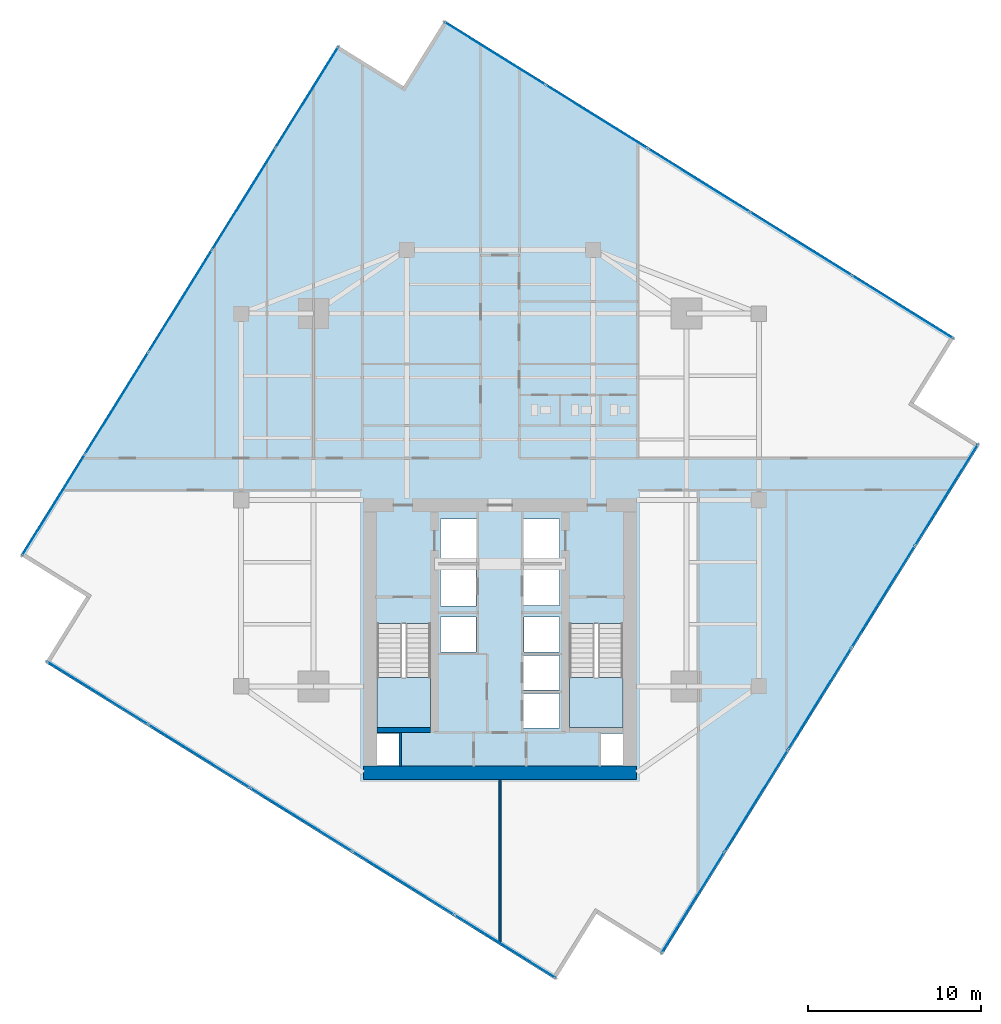
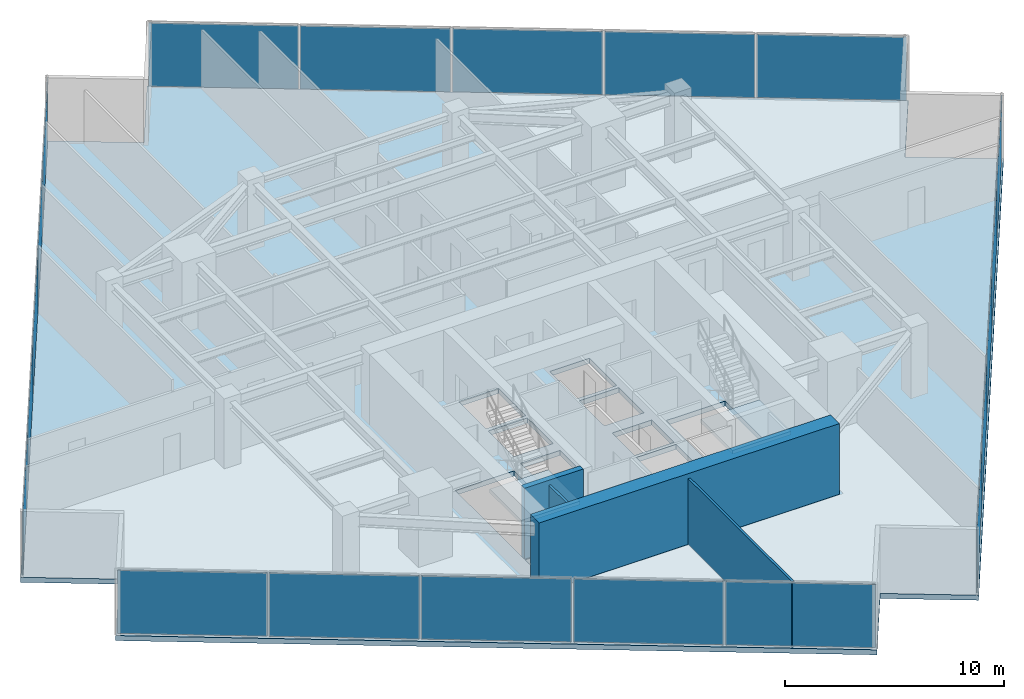
# One storey, part 20 of 26: 20 plates, 4 walls, 3 slabs, 6 elements without a shape of their own.
"""IFC4 building model written with IfcOpenShell, lengths in metres."""

from ifc_helpers import new_model, si_unit, direction, frame, frame_2d, origin, origin_2d, place, context, subcontext, project, spatial, polyline, rectangle, outline, extrude, source, transform, mapped, material, layer, layer_set, type_object, type_shapes, element, aggregate, save


model = new_model("IFC4")

# Units and contexts
model_context = context("Model", 3, precision=1e-05, world=origin(), true_north=direction((0.0, 1.0)))
body_context = subcontext(model_context, "Body", "Model", "MODEL_VIEW")
ifc_project = project(units=[si_unit("LENGTHUNIT", "METRE"), si_unit("AREAUNIT", "SQUARE_METRE"), si_unit("VOLUMEUNIT", "CUBIC_METRE"), si_unit("PLANEANGLEUNIT", "RADIAN"), si_unit("MASSUNIT", "GRAM", prefix="KILO")], contexts=[model_context])

# Site, building, storey
site_placement = place(None, origin())
site = spatial("IfcSite", under=ifc_project, at=site_placement, CompositionType="ELEMENT")
building_placement = place(site_placement, origin())
building = spatial("IfcBuilding", under=site, at=building_placement, Name="Krantzveldt Concourse Tower", CompositionType="ELEMENT")
storey_placement = place(building_placement, frame((0.0, 0.0, 173.85009765625)))
storey = spatial("IfcBuildingStorey", under=building, at=storey_placement, Name="L42", CompositionType="ELEMENT", Elevation=173.85009765625)

# Stair, slab
ifc_material_1 = material(Name="Precast concrete C40/50", Category="concrete")
stair_type = type_object("IfcStairType", Name="STR-CORE-DOGLEG", PredefinedType="HALF_TURN_STAIR", material=ifc_material_1)
stair_1_placement = place(storey_placement, origin())
stair_1 = element("IfcStair", 1, at=stair_1_placement, inside=storey, type_object=stair_type, Name="L42 Protected Escape Stair ST-1", PredefinedType="HALF_TURN_STAIR")
ifc_layer_1 = layer(ifc_material_1, 0.199951171875, Name="Precast concrete C40/50", Category="concrete")
ifc_layer_set_1 = layer_set([ifc_layer_1], Name="Precast concrete C40/50 (SL-LANDING-200)")
slab_type_1 = type_object("IfcSlabType", Name="SL-LANDING-200", PredefinedType="LANDING", material=ifc_layer_set_1)
slab_1_placement = place(storey_placement, frame((0.0, 0.0, 1.77490234375)))
slab_1 = element("IfcSlab", 2, at=slab_1_placement, type_object=slab_type_1, Name="ST-1 landing 1", PredefinedType="LANDING", context=body_context, shape_type="SweptSolid", body=[
    extrude(outline(polyline([(28.8798828125, 16.4150390625), (28.8798828125, 13.52001953125), (31.97998046875, 13.52001953125), (31.97998046875, 16.4150390625), (28.8798828125, 16.4150390625)])), origin(), (0.0, 0.0, 1.0), 0.199951171875),
])
aggregate(stair_1, [slab_1])

stair_2_placement = place(storey_placement, origin())
stair_2 = element("IfcStair", 3, at=stair_2_placement, inside=storey, type_object=stair_type, Name="L42 Protected Escape Stair ST-2", PredefinedType="HALF_TURN_STAIR")
slab_2_placement = place(storey_placement, frame((0.0, 0.0, 1.77490234375)))
slab_2 = element("IfcSlab", 4, at=slab_2_placement, type_object=slab_type_1, Name="ST-2 landing 1", PredefinedType="LANDING", context=body_context, shape_type="SweptSolid", body=[
    extrude(outline(polyline([(40.02001953125, 16.4150390625), (40.02001953125, 13.52001953125), (43.1201171875, 13.52001953125), (43.1201171875, 16.4150390625), (40.02001953125, 16.4150390625)])), origin(), (0.0, 0.0, 1.0), 0.199951171875),
])
aggregate(stair_2, [slab_2])

# Slab
ifc_material_2 = material(Name="Concrete C40/50", Category="concrete")
ifc_layer_2 = layer(ifc_material_2, 0.280029296875, Name="Concrete C40/50", Category="concrete")
ifc_layer_set_2 = layer_set([ifc_layer_2], Name="Concrete C40/50 (SL-SL-TWR280)")
slab_type_2 = type_object("IfcSlabType", Name="SL-SL-TWR280", PredefinedType="FLOOR", material=ifc_layer_set_2)
slab_3_placement = place(storey_placement, frame((0.0, 0.0, -0.280029296875)))
element("IfcSlab", 5, at=slab_3_placement, inside=storey, type_object=slab_type_2, Name="SL-L42-MAIN", PredefinedType="FLOOR", context=body_context, shape_type="SweptSolid", body=[
    extrude(outline(polyline([(30.412353515625, 50.66455078125), (26.5908203125, 53.040771484375), (8.214111328125, 23.488525390625), (12.035400390625, 21.1123046875), (9.6591796875, 17.290771484375), (39.21142578125, -1.0859375), (41.587646484375, 2.735595703125), (45.4091796875, 0.359130859375), (63.785888671875, 29.911376953125), (59.964599609375, 32.287841796875), (62.3408203125, 36.109130859375), (32.78857421875, 54.48583984375), (30.412353515625, 50.66455078125)]), holes=[polyline([(28.8798828125, 19.547607421875), (28.8798828125, 13.52001953125), (31.97998046875, 13.52001953125), (31.97998046875, 19.547607421875), (28.8798828125, 19.547607421875)]), polyline([(40.02001953125, 19.547607421875), (40.02001953125, 13.52001953125), (43.1201171875, 13.52001953125), (43.1201171875, 19.547607421875), (40.02001953125, 19.547607421875)]), polyline([(32.550048828125, 23.10009765625), (34.64990234375, 23.10009765625), (34.64990234375, 25.60009765625), (32.550048828125, 25.60009765625), (32.550048828125, 23.10009765625)]), polyline([(37.35009765625, 23.10009765625), (39.449951171875, 23.10009765625), (39.449951171875, 25.60009765625), (37.35009765625, 25.60009765625), (37.35009765625, 23.10009765625)]), polyline([(37.35009765625, 20.60009765625), (39.449951171875, 20.60009765625), (39.449951171875, 22.89990234375), (37.35009765625, 22.89990234375), (37.35009765625, 20.60009765625)]), polyline([(37.35009765625, 13.47998046875), (39.449951171875, 13.47998046875), (39.449951171875, 15.47998046875), (37.35009765625, 15.47998046875), (37.35009765625, 13.47998046875)]), polyline([(37.35009765625, 15.679931640625), (39.449951171875, 15.679931640625), (39.449951171875, 17.679931640625), (37.35009765625, 17.679931640625), (37.35009765625, 15.679931640625)]), polyline([(32.550048828125, 20.550048828125), (34.6201171875, 20.550048828125), (34.6201171875, 22.89990234375), (32.550048828125, 22.89990234375), (32.550048828125, 20.550048828125)]), polyline([(32.550048828125, 17.8798828125), (34.6201171875, 17.8798828125), (34.6201171875, 19.919921875), (32.550048828125, 19.919921875), (32.550048828125, 17.8798828125)]), polyline([(37.3798828125, 17.8798828125), (39.449951171875, 17.8798828125), (39.449951171875, 19.919921875), (37.3798828125, 19.919921875), (37.3798828125, 17.8798828125)]), polyline([(28.8798828125, 11.320068359375), (30.139892578125, 11.320068359375), (30.139892578125, 13.159912109375), (28.8798828125, 13.159912109375), (28.8798828125, 11.320068359375)]), polyline([(41.860107421875, 11.320068359375), (43.1201171875, 11.320068359375), (43.1201171875, 13.159912109375), (41.860107421875, 13.159912109375), (41.860107421875, 11.320068359375)])]), origin(), (0.0, 0.0, 1.0), 0.280029296875),
])

# Curtain wall, plates
ifc_material_3 = material(Name="Anodised aluminium 6063-T6", Category="aluminium")
curtain_wall_type = type_object("IfcCurtainWallType", Name="CW3", PredefinedType="USERDEFINED", material=ifc_material_3)
curtain_wall_1_placement = place(storey_placement, origin())
curtain_wall_1 = element("IfcCurtainWall", 6, at=curtain_wall_1_placement, inside=storey, type_object=curtain_wall_type, Name="CW-L42-F01", ObjectType="UNITISED CURTAIN WALL", PredefinedType="USERDEFINED")
ifc_material_4 = material(Name="Bronze-tinted laminated low-E IGU glass", Category="glass")
ifc_layer_3 = layer(ifc_material_4, 0.031982421875, Name="Bronze-tinted laminated low-E IGU glass", Category="glass")
ifc_layer_set_3 = layer_set([ifc_layer_3], Name="Bronze-tinted laminated low-E IGU glass (CW-GLZ-32)")
plate_type = type_object("IfcPlateType", Name="CW-GLZ-32", PredefinedType="CURTAIN_PANEL", material=ifc_layer_set_3)
shared_shape_1 = source(origin(), body_context, "Body", "SweptSolid", [
    extrude(rectangle(XDim=6.85498046875, YDim=0.031982421875, at=origin_2d()), origin(), (0.0, 0.0, 1.0), 3.530029296875),
])
plate_1_placement = place(storey_placement, frame((24.8203125, 50.023193359375, 0.06982421875), z_axis=(0.0, 0.0, 1.0), x_axis=(-0.528067901977, -0.84920214961, 0.0)))
plate_1 = element("IfcPlate", 7, at=plate_1_placement, type_object=plate_type, Name="CW-Z34 panel 1.1", PredefinedType="CURTAIN_PANEL", context=body_context, shape_type="MappedRepresentation", body=[
    mapped(shared_shape_1, transform((0.0, 0.0, 0.0), x_axis=(1.0, 0.0, 0.0), y_axis=(0.0, 1.0, 0.0), z_axis=(0.0, 0.0, 1.0), scale=1.0)),
])
plate_2_placement = place(storey_placement, frame((10.137451171875, 26.4111328125, 0.06982421875), z_axis=(0.0, 0.0, 1.0), x_axis=(-0.528067901977, -0.84920214961, 0.0)))
plate_2 = element("IfcPlate", 8, at=plate_2_placement, type_object=plate_type, Name="CW-Z34 panel 5.1", PredefinedType="CURTAIN_PANEL", context=body_context, shape_type="MappedRepresentation", body=[
    mapped(shared_shape_1, transform((0.0, 0.0, 0.0), x_axis=(1.0, 0.0, 0.0), y_axis=(0.0, 1.0, 0.0), z_axis=(0.0, 0.0, 1.0), scale=1.0)),
])

curtain_wall_2_placement = place(storey_placement, origin())
curtain_wall_2 = element("IfcCurtainWall", 9, at=curtain_wall_2_placement, inside=storey, type_object=curtain_wall_type, Name="CW-L42-F04", ObjectType="UNITISED CURTAIN WALL", PredefinedType="USERDEFINED")
plate_3_placement = place(storey_placement, frame((12.6767578125, 15.520263671875, 0.06982421875), z_axis=(0.0, 0.0, 1.0), x_axis=(0.84920214961, -0.528067901977, 0.0)))
plate_3 = element("IfcPlate", 10, at=plate_3_placement, type_object=plate_type, Name="CW-Z34 panel 1.1", PredefinedType="CURTAIN_PANEL", context=body_context, shape_type="MappedRepresentation", body=[
    mapped(shared_shape_1, transform((0.0, 0.0, 0.0), x_axis=(1.0, 0.0, 0.0), y_axis=(0.0, 1.0, 0.0), z_axis=(0.0, 0.0, 1.0), scale=1.0)),
])
plate_4_placement = place(storey_placement, frame((36.288818359375, 0.83740234375, 0.06982421875), z_axis=(0.0, 0.0, 1.0), x_axis=(0.84920214961, -0.528067901977, 0.0)))
plate_4 = element("IfcPlate", 11, at=plate_4_placement, type_object=plate_type, Name="CW-Z34 panel 5.1", PredefinedType="CURTAIN_PANEL", context=body_context, shape_type="MappedRepresentation", body=[
    mapped(shared_shape_1, transform((0.0, 0.0, 0.0), x_axis=(1.0, 0.0, 0.0), y_axis=(0.0, 1.0, 0.0), z_axis=(0.0, 0.0, 1.0), scale=1.0)),
])

curtain_wall_3_placement = place(storey_placement, origin())
curtain_wall_3 = element("IfcCurtainWall", 12, at=curtain_wall_3_placement, inside=storey, type_object=curtain_wall_type, Name="CW-L42-F07", ObjectType="UNITISED CURTAIN WALL", PredefinedType="USERDEFINED")
plate_5_placement = place(storey_placement, frame((47.1796875, 3.376708984375, 0.06982421875), z_axis=(0.0, 0.0, 1.0), x_axis=(0.528067901977, 0.84920214961, 0.0)))
plate_5 = element("IfcPlate", 13, at=plate_5_placement, type_object=plate_type, Name="CW-Z34 panel 1.1", PredefinedType="CURTAIN_PANEL", context=body_context, shape_type="MappedRepresentation", body=[
    mapped(shared_shape_1, transform((0.0, 0.0, 0.0), x_axis=(1.0, 0.0, 0.0), y_axis=(0.0, 1.0, 0.0), z_axis=(0.0, 0.0, 1.0), scale=1.0)),
])
plate_6_placement = place(storey_placement, frame((61.862548828125, 26.98876953125, 0.06982421875), z_axis=(0.0, 0.0, 1.0), x_axis=(0.528067901977, 0.84920214961, 0.0)))
plate_6 = element("IfcPlate", 14, at=plate_6_placement, type_object=plate_type, Name="CW-Z34 panel 5.1", PredefinedType="CURTAIN_PANEL", context=body_context, shape_type="MappedRepresentation", body=[
    mapped(shared_shape_1, transform((0.0, 0.0, 0.0), x_axis=(1.0, 0.0, 0.0), y_axis=(0.0, 1.0, 0.0), z_axis=(0.0, 0.0, 1.0), scale=1.0)),
])

curtain_wall_4_placement = place(storey_placement, origin())
curtain_wall_4 = element("IfcCurtainWall", 15, at=curtain_wall_4_placement, inside=storey, type_object=curtain_wall_type, Name="CW-L42-F10", ObjectType="UNITISED CURTAIN WALL", PredefinedType="USERDEFINED")
plate_7_placement = place(storey_placement, frame((59.3232421875, 37.879638671875, 0.06982421875), z_axis=(0.0, 0.0, 1.0), x_axis=(-0.84920214961, 0.528067901977, 0.0)))
plate_7 = element("IfcPlate", 16, at=plate_7_placement, type_object=plate_type, Name="CW-Z34 panel 1.1", PredefinedType="CURTAIN_PANEL", context=body_context, shape_type="MappedRepresentation", body=[
    mapped(shared_shape_1, transform((0.0, 0.0, 0.0), x_axis=(1.0, 0.0, 0.0), y_axis=(0.0, 1.0, 0.0), z_axis=(0.0, 0.0, 1.0), scale=1.0)),
])
plate_8_placement = place(storey_placement, frame((35.711181640625, 52.5625, 0.06982421875), z_axis=(0.0, 0.0, 1.0), x_axis=(-0.84920214961, 0.528067901977, 0.0)))
plate_8 = element("IfcPlate", 17, at=plate_8_placement, type_object=plate_type, Name="CW-Z34 panel 5.1", PredefinedType="CURTAIN_PANEL", context=body_context, shape_type="MappedRepresentation", body=[
    mapped(shared_shape_1, transform((0.0, 0.0, 0.0), x_axis=(1.0, 0.0, 0.0), y_axis=(0.0, 1.0, 0.0), z_axis=(0.0, 0.0, 1.0), scale=1.0)),
])

# Plate
shared_shape_2 = source(origin(), body_context, "Body", "SweptSolid", [
    extrude(rectangle(XDim=6.889892578125, YDim=0.031982421875, at=origin_2d()), origin(), (0.0, 0.0, 1.0), 3.530029296875),
])
type_shapes(plate_type, [shared_shape_1, shared_shape_2])
plate_9_placement = place(storey_placement, frame((21.154296875, 44.127685546875, 0.06982421875), z_axis=(0.0, 0.0, 1.0), x_axis=(-0.528067901977, -0.84920214961, 0.0)))
plate_9 = element("IfcPlate", 18, at=plate_9_placement, type_object=plate_type, Name="CW-Z34 panel 2.1", PredefinedType="CURTAIN_PANEL", context=body_context, shape_type="MappedRepresentation", body=[
    mapped(shared_shape_2, transform((0.0, 0.0, 0.0), x_axis=(1.0, 0.0, 0.0), y_axis=(0.0, 1.0, 0.0), z_axis=(0.0, 0.0, 1.0), scale=1.0)),
])

plate_10_placement = place(storey_placement, frame((17.47900390625, 38.217041015625, 0.06982421875), z_axis=(0.0, 0.0, 1.0), x_axis=(-0.528067901977, -0.84920214961, 0.0)))
plate_10 = element("IfcPlate", 19, at=plate_10_placement, type_object=plate_type, Name="CW-Z34 panel 3.1", PredefinedType="CURTAIN_PANEL", context=body_context, shape_type="MappedRepresentation", body=[
    mapped(shared_shape_2, transform((0.0, 0.0, 0.0), x_axis=(1.0, 0.0, 0.0), y_axis=(0.0, 1.0, 0.0), z_axis=(0.0, 0.0, 1.0), scale=1.0)),
])

plate_11_placement = place(storey_placement, frame((13.803466796875, 32.306640625, 0.06982421875), z_axis=(0.0, 0.0, 1.0), x_axis=(-0.528067901977, -0.84920214961, 0.0)))
plate_11 = element("IfcPlate", 20, at=plate_11_placement, type_object=plate_type, Name="CW-Z34 panel 4.1", PredefinedType="CURTAIN_PANEL", context=body_context, shape_type="MappedRepresentation", body=[
    mapped(shared_shape_2, transform((0.0, 0.0, 0.0), x_axis=(1.0, 0.0, 0.0), y_axis=(0.0, 1.0, 0.0), z_axis=(0.0, 0.0, 1.0), scale=1.0)),
])

aggregate(curtain_wall_1, [plate_1, plate_9, plate_10, plate_11, plate_2])

plate_12_placement = place(storey_placement, frame((18.572509765625, 11.854248046875, 0.06982421875), z_axis=(0.0, 0.0, 1.0), x_axis=(0.84920214961, -0.528067901977, 0.0)))
plate_12 = element("IfcPlate", 21, at=plate_12_placement, type_object=plate_type, Name="CW-Z34 panel 2.1", PredefinedType="CURTAIN_PANEL", context=body_context, shape_type="MappedRepresentation", body=[
    mapped(shared_shape_2, transform((0.0, 0.0, 0.0), x_axis=(1.0, 0.0, 0.0), y_axis=(0.0, 1.0, 0.0), z_axis=(0.0, 0.0, 1.0), scale=1.0)),
])

plate_13_placement = place(storey_placement, frame((24.48291015625, 8.178955078125, 0.06982421875), z_axis=(0.0, 0.0, 1.0), x_axis=(0.84920214961, -0.528067901977, 0.0)))
plate_13 = element("IfcPlate", 22, at=plate_13_placement, type_object=plate_type, Name="CW-Z34 panel 3.1", PredefinedType="CURTAIN_PANEL", context=body_context, shape_type="MappedRepresentation", body=[
    mapped(shared_shape_2, transform((0.0, 0.0, 0.0), x_axis=(1.0, 0.0, 0.0), y_axis=(0.0, 1.0, 0.0), z_axis=(0.0, 0.0, 1.0), scale=1.0)),
])

plate_14_placement = place(storey_placement, frame((30.393310546875, 4.503662109375, 0.06982421875), z_axis=(0.0, 0.0, 1.0), x_axis=(0.84920214961, -0.528067901977, 0.0)))
plate_14 = element("IfcPlate", 23, at=plate_14_placement, type_object=plate_type, Name="CW-Z34 panel 4.1", PredefinedType="CURTAIN_PANEL", context=body_context, shape_type="MappedRepresentation", body=[
    mapped(shared_shape_2, transform((0.0, 0.0, 0.0), x_axis=(1.0, 0.0, 0.0), y_axis=(0.0, 1.0, 0.0), z_axis=(0.0, 0.0, 1.0), scale=1.0)),
])

aggregate(curtain_wall_2, [plate_3, plate_12, plate_13, plate_14, plate_4])

plate_15_placement = place(storey_placement, frame((50.845703125, 9.2724609375, 0.06982421875), z_axis=(0.0, 0.0, 1.0), x_axis=(0.528067901977, 0.84920214961, 0.0)))
plate_15 = element("IfcPlate", 24, at=plate_15_placement, type_object=plate_type, Name="CW-Z34 panel 2.1", PredefinedType="CURTAIN_PANEL", context=body_context, shape_type="MappedRepresentation", body=[
    mapped(shared_shape_2, transform((0.0, 0.0, 0.0), x_axis=(1.0, 0.0, 0.0), y_axis=(0.0, 1.0, 0.0), z_axis=(0.0, 0.0, 1.0), scale=1.0)),
])

plate_16_placement = place(storey_placement, frame((54.52099609375, 15.182861328125, 0.06982421875), z_axis=(0.0, 0.0, 1.0), x_axis=(0.528067901977, 0.84920214961, 0.0)))
plate_16 = element("IfcPlate", 25, at=plate_16_placement, type_object=plate_type, Name="CW-Z34 panel 3.1", PredefinedType="CURTAIN_PANEL", context=body_context, shape_type="MappedRepresentation", body=[
    mapped(shared_shape_2, transform((0.0, 0.0, 0.0), x_axis=(1.0, 0.0, 0.0), y_axis=(0.0, 1.0, 0.0), z_axis=(0.0, 0.0, 1.0), scale=1.0)),
])

plate_17_placement = place(storey_placement, frame((58.196533203125, 21.09326171875, 0.06982421875), z_axis=(0.0, 0.0, 1.0), x_axis=(0.528067901977, 0.84920214961, 0.0)))
plate_17 = element("IfcPlate", 26, at=plate_17_placement, type_object=plate_type, Name="CW-Z34 panel 4.1", PredefinedType="CURTAIN_PANEL", context=body_context, shape_type="MappedRepresentation", body=[
    mapped(shared_shape_2, transform((0.0, 0.0, 0.0), x_axis=(1.0, 0.0, 0.0), y_axis=(0.0, 1.0, 0.0), z_axis=(0.0, 0.0, 1.0), scale=1.0)),
])

aggregate(curtain_wall_3, [plate_5, plate_15, plate_16, plate_17, plate_6])

plate_18_placement = place(storey_placement, frame((53.427490234375, 41.545654296875, 0.06982421875), z_axis=(0.0, 0.0, 1.0), x_axis=(-0.84920214961, 0.528067901977, 0.0)))
plate_18 = element("IfcPlate", 27, at=plate_18_placement, type_object=plate_type, Name="CW-Z34 panel 2.1", PredefinedType="CURTAIN_PANEL", context=body_context, shape_type="MappedRepresentation", body=[
    mapped(shared_shape_2, transform((0.0, 0.0, 0.0), x_axis=(1.0, 0.0, 0.0), y_axis=(0.0, 1.0, 0.0), z_axis=(0.0, 0.0, 1.0), scale=1.0)),
])

plate_19_placement = place(storey_placement, frame((47.51708984375, 45.22119140625, 0.06982421875), z_axis=(0.0, 0.0, 1.0), x_axis=(-0.84920214961, 0.528067901977, 0.0)))
plate_19 = element("IfcPlate", 28, at=plate_19_placement, type_object=plate_type, Name="CW-Z34 panel 3.1", PredefinedType="CURTAIN_PANEL", context=body_context, shape_type="MappedRepresentation", body=[
    mapped(shared_shape_2, transform((0.0, 0.0, 0.0), x_axis=(1.0, 0.0, 0.0), y_axis=(0.0, 1.0, 0.0), z_axis=(0.0, 0.0, 1.0), scale=1.0)),
])

plate_20_placement = place(storey_placement, frame((41.606689453125, 48.896484375, 0.06982421875), z_axis=(0.0, 0.0, 1.0), x_axis=(-0.84920214961, 0.528067901977, 0.0)))
plate_20 = element("IfcPlate", 29, at=plate_20_placement, type_object=plate_type, Name="CW-Z34 panel 4.1", PredefinedType="CURTAIN_PANEL", context=body_context, shape_type="MappedRepresentation", body=[
    mapped(shared_shape_2, transform((0.0, 0.0, 0.0), x_axis=(1.0, 0.0, 0.0), y_axis=(0.0, 1.0, 0.0), z_axis=(0.0, 0.0, 1.0), scale=1.0)),
])

aggregate(curtain_wall_4, [plate_7, plate_18, plate_19, plate_20, plate_8])

# Walls
ifc_material_5 = material(Name="Fire-rated gypsum plasterboard on steel stud", Category="steel")
ifc_layer_4 = layer(ifc_material_5, 0.1201171875, Name="Fire-rated gypsum plasterboard on steel stud", Category="steel")
ifc_layer_set_4 = layer_set([ifc_layer_4], Name="Fire-rated gypsum plasterboard on steel stud (WL-PART-120)")
wall_type_1 = type_object("IfcWallType", Name="WL-PART-120", PredefinedType="PARTITIONING", material=ifc_layer_set_4)
wall_1_placement = place(storey_placement, frame((36.0, 1.01708984375, 0.0), z_axis=(0.0, 0.0, 1.0), x_axis=(0.0, 1.0, 0.0)))
element("IfcWall", 30, at=wall_1_placement, inside=storey, type_object=wall_type_1, Name="WP-L42-SMID", PredefinedType="PARTITIONING", context=body_context, shape_type="SweptSolid", body=[
    extrude(rectangle(XDim=9.48291015625, YDim=0.1201171875, at=frame_2d((4.741455078125, 0.0))), origin(), (0.0, 0.0, 1.0), 3.669921875),
])
ifc_layer_5 = layer(ifc_material_5, 0.139892578125, Name="Fire-rated gypsum plasterboard on steel stud", Category="steel")
ifc_layer_set_5 = layer_set([ifc_layer_5], Name="Fire-rated gypsum plasterboard on steel stud (WL-PART-FR140)")
wall_type_2 = type_object("IfcWallType", Name="WL-PART-FR140", PredefinedType="PARTITIONING", material=ifc_layer_set_5)
wall_2_placement = place(storey_placement, frame((30.219970703125, 11.25, 0.0), z_axis=(0.0, 0.0, 1.0), x_axis=(0.0, 1.0, 0.0)))
element("IfcWall", 31, at=wall_2_placement, inside=storey, type_object=wall_type_2, Name="WP-L42-RSW", PredefinedType="PARTITIONING", context=body_context, shape_type="SweptSolid", body=[
    extrude(rectangle(XDim=1.969970703125, YDim=0.1201171875, at=frame_2d((0.98486328125, 0.0))), origin(), (0.0, 0.0, 1.0), 3.669921875),
])
ifc_material_6 = material(Name="Concrete C50/60", Category="concrete")
ifc_layer_6 = layer(ifc_material_6, 0.300048828125, Name="Concrete C50/60", Category="concrete")
ifc_layer_set_6 = layer_set([ifc_layer_6], Name="Concrete C50/60 (WL-SHEAR-300)")
wall_type_3 = type_object("IfcWallType", Name="WL-SHEAR-300", PredefinedType="SHEAR", material=ifc_layer_set_6)
wall_3_placement = place(storey_placement, frame((28.8798828125, 13.3701171875, 0.0), z_axis=(0.0, 0.0, 1.0), x_axis=(1.0, 0.0, 0.0)))
element("IfcWall", 32, at=wall_3_placement, inside=storey, type_object=wall_type_3, Name="CW-L42-ST1S", PredefinedType="SHEAR", context=body_context, shape_type="SweptSolid", body=[
    extrude(rectangle(XDim=3.10009765625, YDim=0.300048828125, at=frame_2d((1.550048828125, 0.0))), origin(), (0.0, 0.0, 1.0), 3.949951171875),
])
ifc_material_7 = material(Name="Concrete C60/75", Category="concrete")
ifc_layer_7 = layer(ifc_material_7, 0.800048828125, Name="Concrete C60/75", Category="concrete")
ifc_layer_set_7 = layer_set([ifc_layer_7], Name="Concrete C60/75 (WL-SHEAR-800)")
wall_type_4 = type_object("IfcWallType", Name="WL-SHEAR-800", PredefinedType="SHEAR", material=ifc_layer_set_7)
wall_4_placement = place(storey_placement, frame((28.080078125, 10.89990234375, 0.0), z_axis=(0.0, 0.0, 1.0), x_axis=(1.0, 0.0, 0.0)))
element("IfcWall", 33, at=wall_4_placement, inside=storey, type_object=wall_type_4, Name="CW-L42-S", PredefinedType="SHEAR", context=body_context, shape_type="SweptSolid", body=[
    extrude(rectangle(XDim=15.83984375, YDim=0.800048828125, at=frame_2d((7.919921875, 0.0))), origin(), (0.0, 0.0, 1.0), 3.949951171875),
])

save(model, "model.ifc")
